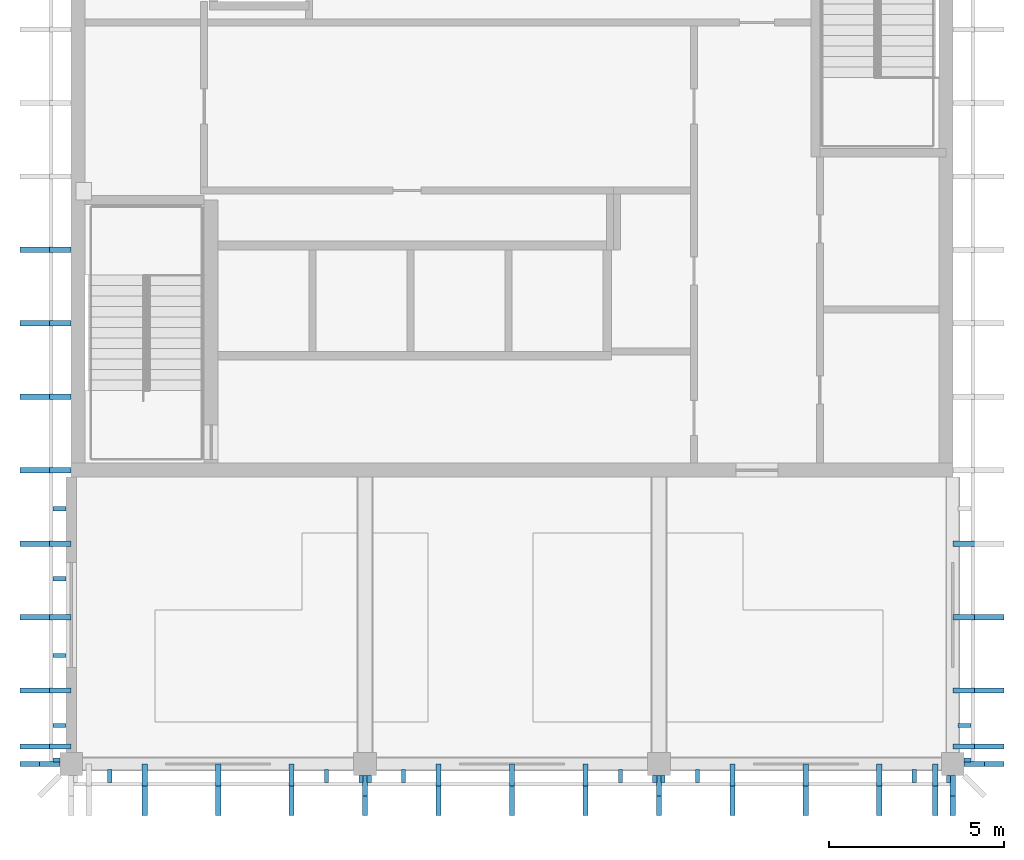
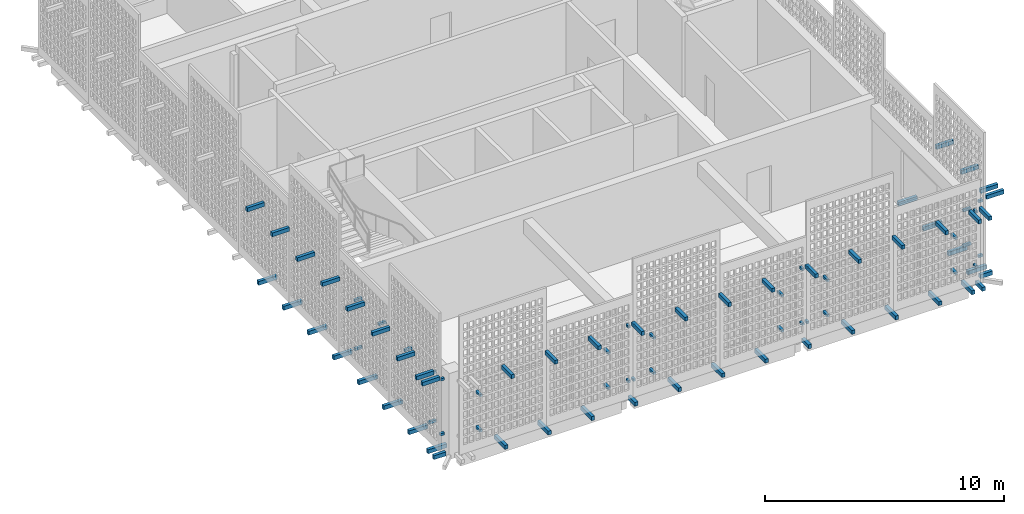
# One storey, part 4 of 23: 87 discrete accessories.
"""IFC4 building model written with IfcOpenShell, lengths in metres."""

from ifc_helpers import new_model, si_unit, direction, frame, origin, origin_2d, place, context, subcontext, project, spatial, rectangle, extrude, material, type_object, element, save


model = new_model("IFC4")

# Units and contexts
model_context = context("Model", 3, precision=1e-05, world=origin(), true_north=direction((0.0, 1.0)))
body_context = subcontext(model_context, "Body", "Model", "MODEL_VIEW")
ifc_project = project(units=[si_unit("LENGTHUNIT", "METRE"), si_unit("AREAUNIT", "SQUARE_METRE"), si_unit("VOLUMEUNIT", "CUBIC_METRE"), si_unit("PLANEANGLEUNIT", "RADIAN"), si_unit("MASSUNIT", "GRAM", prefix="KILO")], contexts=[model_context])

# Site, building, storey
site_placement = place(None, origin())
site = spatial("IfcSite", under=ifc_project, at=site_placement, CompositionType="ELEMENT")
building_placement = place(site_placement, origin())
building = spatial("IfcBuilding", under=site, at=building_placement, Name="Rulbaag Community and Learning Centre", CompositionType="ELEMENT")
storey_placement = place(building_placement, frame((0.0, 0.0, 64.800048828125)))
storey = spatial("IfcBuildingStorey", under=building, at=storey_placement, Name="L17", CompositionType="ELEMENT", Elevation=64.800048828125)

# Discrete accessories
ifc_material = material(Name="Steel E350", Category="steel")
discrete_accessory_type_1 = type_object("IfcDiscreteAccessoryType", Name="BR-FN", PredefinedType="BRACKET", material=ifc_material)
discrete_accessory_1_placement = place(storey_placement, frame((144.89990234375, 83.5439453125, -0.25), z_axis=(0.0, 0.0, 1.0), x_axis=(1.0, 0.0, 0.0)))
element("IfcDiscreteAccessory", 1, at=discrete_accessory_1_placement, inside=storey, type_object=discrete_accessory_type_1, Name="Fin arm", PredefinedType="BRACKET", context=body_context, shape_type="SweptSolid", body=[
    extrude(rectangle(XDim=0.14990234375, YDim=0.912109375, at=origin_2d()), origin(), (0.0, 0.0, 1.0), 0.199951171875),
])
discrete_accessory_2_placement = place(storey_placement, frame((144.89990234375, 82.955322265625, 3.7001953125), z_axis=(0.0, 0.0, 1.0), x_axis=(1.0, 0.0, 0.0)))
element("IfcDiscreteAccessory", 2, at=discrete_accessory_2_placement, inside=storey, type_object=discrete_accessory_type_1, Name="Fin arm", PredefinedType="BRACKET", context=body_context, shape_type="SweptSolid", body=[
    extrude(rectangle(XDim=0.14990234375, YDim=0.83935546875, at=origin_2d()), origin(), (0.0, 0.0, 1.0), 0.199951171875),
])
discrete_accessory_3_placement = place(storey_placement, frame((147.0, 83.5439453125, -0.25), z_axis=(0.0, 0.0, 1.0), x_axis=(1.0, 0.0, 0.0)))
element("IfcDiscreteAccessory", 3, at=discrete_accessory_3_placement, inside=storey, type_object=discrete_accessory_type_1, Name="Fin arm", PredefinedType="BRACKET", context=body_context, shape_type="SweptSolid", body=[
    extrude(rectangle(XDim=0.14990234375, YDim=0.912109375, at=origin_2d()), origin(), (0.0, 0.0, 1.0), 0.199951171875),
])
discrete_accessory_4_placement = place(storey_placement, frame((147.0, 82.955322265625, 3.7001953125), z_axis=(0.0, 0.0, 1.0), x_axis=(1.0, 0.0, 0.0)))
element("IfcDiscreteAccessory", 4, at=discrete_accessory_4_placement, inside=storey, type_object=discrete_accessory_type_1, Name="Fin arm", PredefinedType="BRACKET", context=body_context, shape_type="SweptSolid", body=[
    extrude(rectangle(XDim=0.14990234375, YDim=0.83935546875, at=origin_2d()), origin(), (0.0, 0.0, 1.0), 0.199951171875),
])
discrete_accessory_5_placement = place(storey_placement, frame((149.10009765625, 83.5439453125, -0.25), z_axis=(0.0, 0.0, 1.0), x_axis=(1.0, 0.0, 0.0)))
element("IfcDiscreteAccessory", 5, at=discrete_accessory_5_placement, inside=storey, type_object=discrete_accessory_type_1, Name="Fin arm", PredefinedType="BRACKET", context=body_context, shape_type="SweptSolid", body=[
    extrude(rectangle(XDim=0.14990234375, YDim=0.912109375, at=origin_2d()), origin(), (0.0, 0.0, 1.0), 0.199951171875),
])
discrete_accessory_6_placement = place(storey_placement, frame((149.10009765625, 82.955322265625, 3.7001953125), z_axis=(0.0, 0.0, 1.0), x_axis=(1.0, 0.0, 0.0)))
element("IfcDiscreteAccessory", 6, at=discrete_accessory_6_placement, inside=storey, type_object=discrete_accessory_type_1, Name="Fin arm", PredefinedType="BRACKET", context=body_context, shape_type="SweptSolid", body=[
    extrude(rectangle(XDim=0.14990234375, YDim=0.83935546875, at=origin_2d()), origin(), (0.0, 0.0, 1.0), 0.199951171875),
])
discrete_accessory_7_placement = place(storey_placement, frame((151.199951171875, 83.38134765625, -0.25), z_axis=(0.0, 0.0, 1.0), x_axis=(1.0, 0.0, 0.0)))
element("IfcDiscreteAccessory", 7, at=discrete_accessory_7_placement, inside=storey, type_object=discrete_accessory_type_1, Name="Fin arm", PredefinedType="BRACKET", context=body_context, shape_type="SweptSolid", body=[
    extrude(rectangle(XDim=0.14990234375, YDim=0.587158203125, at=origin_2d()), origin(), (0.0, 0.0, 1.0), 0.199951171875),
])
discrete_accessory_8_placement = place(storey_placement, frame((151.199951171875, 82.955322265625, 3.7001953125), z_axis=(0.0, 0.0, 1.0), x_axis=(1.0, 0.0, 0.0)))
element("IfcDiscreteAccessory", 8, at=discrete_accessory_8_placement, inside=storey, type_object=discrete_accessory_type_1, Name="Fin arm", PredefinedType="BRACKET", context=body_context, shape_type="SweptSolid", body=[
    extrude(rectangle(XDim=0.14990234375, YDim=0.83935546875, at=origin_2d()), origin(), (0.0, 0.0, 1.0), 0.199951171875),
])
discrete_accessory_9_placement = place(storey_placement, frame((153.300048828125, 83.5439453125, -0.25), z_axis=(0.0, 0.0, 1.0), x_axis=(1.0, 0.0, 0.0)))
element("IfcDiscreteAccessory", 9, at=discrete_accessory_9_placement, inside=storey, type_object=discrete_accessory_type_1, Name="Fin arm", PredefinedType="BRACKET", context=body_context, shape_type="SweptSolid", body=[
    extrude(rectangle(XDim=0.14990234375, YDim=0.912109375, at=origin_2d()), origin(), (0.0, 0.0, 1.0), 0.199951171875),
])
discrete_accessory_10_placement = place(storey_placement, frame((153.300048828125, 82.955322265625, 3.7001953125), z_axis=(0.0, 0.0, 1.0), x_axis=(1.0, 0.0, 0.0)))
element("IfcDiscreteAccessory", 10, at=discrete_accessory_10_placement, inside=storey, type_object=discrete_accessory_type_1, Name="Fin arm", PredefinedType="BRACKET", context=body_context, shape_type="SweptSolid", body=[
    extrude(rectangle(XDim=0.14990234375, YDim=0.83935546875, at=origin_2d()), origin(), (0.0, 0.0, 1.0), 0.199951171875),
])
discrete_accessory_11_placement = place(storey_placement, frame((155.39990234375, 83.5439453125, -0.25), z_axis=(0.0, 0.0, 1.0), x_axis=(1.0, 0.0, 0.0)))
element("IfcDiscreteAccessory", 11, at=discrete_accessory_11_placement, inside=storey, type_object=discrete_accessory_type_1, Name="Fin arm", PredefinedType="BRACKET", context=body_context, shape_type="SweptSolid", body=[
    extrude(rectangle(XDim=0.14990234375, YDim=0.912109375, at=origin_2d()), origin(), (0.0, 0.0, 1.0), 0.199951171875),
])
discrete_accessory_12_placement = place(storey_placement, frame((155.39990234375, 82.955322265625, 3.7001953125), z_axis=(0.0, 0.0, 1.0), x_axis=(1.0, 0.0, 0.0)))
element("IfcDiscreteAccessory", 12, at=discrete_accessory_12_placement, inside=storey, type_object=discrete_accessory_type_1, Name="Fin arm", PredefinedType="BRACKET", context=body_context, shape_type="SweptSolid", body=[
    extrude(rectangle(XDim=0.14990234375, YDim=0.83935546875, at=origin_2d()), origin(), (0.0, 0.0, 1.0), 0.199951171875),
])
discrete_accessory_13_placement = place(storey_placement, frame((157.5, 83.5439453125, -0.25), z_axis=(0.0, 0.0, 1.0), x_axis=(1.0, 0.0, 0.0)))
element("IfcDiscreteAccessory", 13, at=discrete_accessory_13_placement, inside=storey, type_object=discrete_accessory_type_1, Name="Fin arm", PredefinedType="BRACKET", context=body_context, shape_type="SweptSolid", body=[
    extrude(rectangle(XDim=0.14990234375, YDim=0.912109375, at=origin_2d()), origin(), (0.0, 0.0, 1.0), 0.199951171875),
])
discrete_accessory_14_placement = place(storey_placement, frame((157.5, 82.955322265625, 3.7001953125), z_axis=(0.0, 0.0, 1.0), x_axis=(1.0, 0.0, 0.0)))
element("IfcDiscreteAccessory", 14, at=discrete_accessory_14_placement, inside=storey, type_object=discrete_accessory_type_1, Name="Fin arm", PredefinedType="BRACKET", context=body_context, shape_type="SweptSolid", body=[
    extrude(rectangle(XDim=0.14990234375, YDim=0.83935546875, at=origin_2d()), origin(), (0.0, 0.0, 1.0), 0.199951171875),
])
discrete_accessory_15_placement = place(storey_placement, frame((159.60009765625, 83.38134765625, -0.25), z_axis=(0.0, 0.0, 1.0), x_axis=(1.0, 0.0, 0.0)))
element("IfcDiscreteAccessory", 15, at=discrete_accessory_15_placement, inside=storey, type_object=discrete_accessory_type_1, Name="Fin arm", PredefinedType="BRACKET", context=body_context, shape_type="SweptSolid", body=[
    extrude(rectangle(XDim=0.14990234375, YDim=0.587158203125, at=origin_2d()), origin(), (0.0, 0.0, 1.0), 0.199951171875),
])
discrete_accessory_16_placement = place(storey_placement, frame((159.60009765625, 82.955322265625, 3.7001953125), z_axis=(0.0, 0.0, 1.0), x_axis=(1.0, 0.0, 0.0)))
element("IfcDiscreteAccessory", 16, at=discrete_accessory_16_placement, inside=storey, type_object=discrete_accessory_type_1, Name="Fin arm", PredefinedType="BRACKET", context=body_context, shape_type="SweptSolid", body=[
    extrude(rectangle(XDim=0.14990234375, YDim=0.83935546875, at=origin_2d()), origin(), (0.0, 0.0, 1.0), 0.199951171875),
])
discrete_accessory_17_placement = place(storey_placement, frame((161.699951171875, 83.5439453125, -0.25), z_axis=(0.0, 0.0, 1.0), x_axis=(1.0, 0.0, 0.0)))
element("IfcDiscreteAccessory", 17, at=discrete_accessory_17_placement, inside=storey, type_object=discrete_accessory_type_1, Name="Fin arm", PredefinedType="BRACKET", context=body_context, shape_type="SweptSolid", body=[
    extrude(rectangle(XDim=0.14990234375, YDim=0.912109375, at=origin_2d()), origin(), (0.0, 0.0, 1.0), 0.199951171875),
])
discrete_accessory_18_placement = place(storey_placement, frame((161.699951171875, 82.955322265625, 3.7001953125), z_axis=(0.0, 0.0, 1.0), x_axis=(1.0, 0.0, 0.0)))
element("IfcDiscreteAccessory", 18, at=discrete_accessory_18_placement, inside=storey, type_object=discrete_accessory_type_1, Name="Fin arm", PredefinedType="BRACKET", context=body_context, shape_type="SweptSolid", body=[
    extrude(rectangle(XDim=0.14990234375, YDim=0.83935546875, at=origin_2d()), origin(), (0.0, 0.0, 1.0), 0.199951171875),
])
discrete_accessory_19_placement = place(storey_placement, frame((163.800048828125, 83.5439453125, -0.25), z_axis=(0.0, 0.0, 1.0), x_axis=(1.0, 0.0, 0.0)))
element("IfcDiscreteAccessory", 19, at=discrete_accessory_19_placement, inside=storey, type_object=discrete_accessory_type_1, Name="Fin arm", PredefinedType="BRACKET", context=body_context, shape_type="SweptSolid", body=[
    extrude(rectangle(XDim=0.14990234375, YDim=0.912109375, at=origin_2d()), origin(), (0.0, 0.0, 1.0), 0.199951171875),
])
discrete_accessory_20_placement = place(storey_placement, frame((163.800048828125, 82.955322265625, 3.7001953125), z_axis=(0.0, 0.0, 1.0), x_axis=(1.0, 0.0, 0.0)))
element("IfcDiscreteAccessory", 20, at=discrete_accessory_20_placement, inside=storey, type_object=discrete_accessory_type_1, Name="Fin arm", PredefinedType="BRACKET", context=body_context, shape_type="SweptSolid", body=[
    extrude(rectangle(XDim=0.14990234375, YDim=0.83935546875, at=origin_2d()), origin(), (0.0, 0.0, 1.0), 0.199951171875),
])
discrete_accessory_21_placement = place(storey_placement, frame((165.89990234375, 83.5439453125, -0.25), z_axis=(0.0, 0.0, 1.0), x_axis=(1.0, 0.0, 0.0)))
element("IfcDiscreteAccessory", 21, at=discrete_accessory_21_placement, inside=storey, type_object=discrete_accessory_type_1, Name="Fin arm", PredefinedType="BRACKET", context=body_context, shape_type="SweptSolid", body=[
    extrude(rectangle(XDim=0.14990234375, YDim=0.912109375, at=origin_2d()), origin(), (0.0, 0.0, 1.0), 0.199951171875),
])
discrete_accessory_22_placement = place(storey_placement, frame((165.89990234375, 82.955322265625, 3.7001953125), z_axis=(0.0, 0.0, 1.0), x_axis=(1.0, 0.0, 0.0)))
element("IfcDiscreteAccessory", 22, at=discrete_accessory_22_placement, inside=storey, type_object=discrete_accessory_type_1, Name="Fin arm", PredefinedType="BRACKET", context=body_context, shape_type="SweptSolid", body=[
    extrude(rectangle(XDim=0.14990234375, YDim=0.83935546875, at=origin_2d()), origin(), (0.0, 0.0, 1.0), 0.199951171875),
])
discrete_accessory_23_placement = place(storey_placement, frame((167.5, 83.5439453125, -0.25), z_axis=(0.0, 0.0, 1.0), x_axis=(1.0, 0.0, 0.0)))
element("IfcDiscreteAccessory", 23, at=discrete_accessory_23_placement, inside=storey, type_object=discrete_accessory_type_1, Name="Fin arm", PredefinedType="BRACKET", context=body_context, shape_type="SweptSolid", body=[
    extrude(rectangle(XDim=0.14990234375, YDim=0.912109375, at=origin_2d()), origin(), (0.0, 0.0, 1.0), 0.199951171875),
])
discrete_accessory_24_placement = place(storey_placement, frame((167.5, 82.955322265625, 3.7001953125), z_axis=(0.0, 0.0, 1.0), x_axis=(1.0, 0.0, 0.0)))
element("IfcDiscreteAccessory", 24, at=discrete_accessory_24_placement, inside=storey, type_object=discrete_accessory_type_1, Name="Fin arm", PredefinedType="BRACKET", context=body_context, shape_type="SweptSolid", body=[
    extrude(rectangle(XDim=0.14990234375, YDim=0.83935546875, at=origin_2d()), origin(), (0.0, 0.0, 1.0), 0.199951171875),
])
discrete_accessory_25_placement = place(storey_placement, frame((168.0, 83.38134765625, -0.25), z_axis=(0.0, 0.0, 1.0), x_axis=(1.0, 0.0, 0.0)))
element("IfcDiscreteAccessory", 25, at=discrete_accessory_25_placement, inside=storey, type_object=discrete_accessory_type_1, Name="Fin arm", PredefinedType="BRACKET", context=body_context, shape_type="SweptSolid", body=[
    extrude(rectangle(XDim=0.14990234375, YDim=0.587158203125, at=origin_2d()), origin(), (0.0, 0.0, 1.0), 0.199951171875),
])
discrete_accessory_26_placement = place(storey_placement, frame((168.0, 82.955322265625, 3.7001953125), z_axis=(0.0, 0.0, 1.0), x_axis=(1.0, 0.0, 0.0)))
element("IfcDiscreteAccessory", 26, at=discrete_accessory_26_placement, inside=storey, type_object=discrete_accessory_type_1, Name="Fin arm", PredefinedType="BRACKET", context=body_context, shape_type="SweptSolid", body=[
    extrude(rectangle(XDim=0.14990234375, YDim=0.83935546875, at=origin_2d()), origin(), (0.0, 0.0, 1.0), 0.199951171875),
])
discrete_accessory_27_placement = place(storey_placement, frame((142.181396484375, 84.0, -0.25), z_axis=(0.0, 0.0, 1.0), x_axis=(1.0, 0.0, 0.0)))
element("IfcDiscreteAccessory", 27, at=discrete_accessory_27_placement, inside=storey, type_object=discrete_accessory_type_1, Name="Fin arm", PredefinedType="BRACKET", context=body_context, shape_type="SweptSolid", body=[
    extrude(rectangle(XDim=0.587158203125, YDim=0.14990234375, at=origin_2d()), origin(), (0.0, 0.0, 1.0), 0.199951171875),
])
discrete_accessory_28_placement = place(storey_placement, frame((141.75537109375, 84.0, 3.7001953125), z_axis=(0.0, 0.0, 1.0), x_axis=(1.0, 0.0, 0.0)))
element("IfcDiscreteAccessory", 28, at=discrete_accessory_28_placement, inside=storey, type_object=discrete_accessory_type_1, Name="Fin arm", PredefinedType="BRACKET", context=body_context, shape_type="SweptSolid", body=[
    extrude(rectangle(XDim=0.83935546875, YDim=0.14990234375, at=origin_2d()), origin(), (0.0, 0.0, 1.0), 0.199951171875),
])
discrete_accessory_29_placement = place(storey_placement, frame((142.343994140625, 84.5, -0.25), z_axis=(0.0, 0.0, 1.0), x_axis=(1.0, 0.0, 0.0)))
element("IfcDiscreteAccessory", 29, at=discrete_accessory_29_placement, inside=storey, type_object=discrete_accessory_type_1, Name="Fin arm", PredefinedType="BRACKET", context=body_context, shape_type="SweptSolid", body=[
    extrude(rectangle(XDim=0.912109375, YDim=0.14990234375, at=origin_2d()), origin(), (0.0, 0.0, 1.0), 0.199951171875),
])
discrete_accessory_30_placement = place(storey_placement, frame((141.75537109375, 84.5, 3.7001953125), z_axis=(0.0, 0.0, 1.0), x_axis=(1.0, 0.0, 0.0)))
element("IfcDiscreteAccessory", 30, at=discrete_accessory_30_placement, inside=storey, type_object=discrete_accessory_type_1, Name="Fin arm", PredefinedType="BRACKET", context=body_context, shape_type="SweptSolid", body=[
    extrude(rectangle(XDim=0.83935546875, YDim=0.14990234375, at=origin_2d()), origin(), (0.0, 0.0, 1.0), 0.199951171875),
])
discrete_accessory_31_placement = place(storey_placement, frame((142.343994140625, 86.10009765625, -0.25), z_axis=(0.0, 0.0, 1.0), x_axis=(1.0, 0.0, 0.0)))
element("IfcDiscreteAccessory", 31, at=discrete_accessory_31_placement, inside=storey, type_object=discrete_accessory_type_1, Name="Fin arm", PredefinedType="BRACKET", context=body_context, shape_type="SweptSolid", body=[
    extrude(rectangle(XDim=0.912109375, YDim=0.14990234375, at=origin_2d()), origin(), (0.0, 0.0, 1.0), 0.199951171875),
])
discrete_accessory_32_placement = place(storey_placement, frame((141.75537109375, 86.10009765625, 3.7001953125), z_axis=(0.0, 0.0, 1.0), x_axis=(1.0, 0.0, 0.0)))
element("IfcDiscreteAccessory", 32, at=discrete_accessory_32_placement, inside=storey, type_object=discrete_accessory_type_1, Name="Fin arm", PredefinedType="BRACKET", context=body_context, shape_type="SweptSolid", body=[
    extrude(rectangle(XDim=0.83935546875, YDim=0.14990234375, at=origin_2d()), origin(), (0.0, 0.0, 1.0), 0.199951171875),
])
discrete_accessory_33_placement = place(storey_placement, frame((142.343994140625, 88.199951171875, -0.25), z_axis=(0.0, 0.0, 1.0), x_axis=(1.0, 0.0, 0.0)))
element("IfcDiscreteAccessory", 33, at=discrete_accessory_33_placement, inside=storey, type_object=discrete_accessory_type_1, Name="Fin arm", PredefinedType="BRACKET", context=body_context, shape_type="SweptSolid", body=[
    extrude(rectangle(XDim=0.912109375, YDim=0.14990234375, at=origin_2d()), origin(), (0.0, 0.0, 1.0), 0.199951171875),
])
discrete_accessory_34_placement = place(storey_placement, frame((141.75537109375, 88.199951171875, 3.7001953125), z_axis=(0.0, 0.0, 1.0), x_axis=(1.0, 0.0, 0.0)))
element("IfcDiscreteAccessory", 34, at=discrete_accessory_34_placement, inside=storey, type_object=discrete_accessory_type_1, Name="Fin arm", PredefinedType="BRACKET", context=body_context, shape_type="SweptSolid", body=[
    extrude(rectangle(XDim=0.83935546875, YDim=0.14990234375, at=origin_2d()), origin(), (0.0, 0.0, 1.0), 0.199951171875),
])
discrete_accessory_35_placement = place(storey_placement, frame((142.343994140625, 90.300048828125, -0.25), z_axis=(0.0, 0.0, 1.0), x_axis=(1.0, 0.0, 0.0)))
element("IfcDiscreteAccessory", 35, at=discrete_accessory_35_placement, inside=storey, type_object=discrete_accessory_type_1, Name="Fin arm", PredefinedType="BRACKET", context=body_context, shape_type="SweptSolid", body=[
    extrude(rectangle(XDim=0.912109375, YDim=0.14990234375, at=origin_2d()), origin(), (0.0, 0.0, 1.0), 0.199951171875),
])
discrete_accessory_36_placement = place(storey_placement, frame((141.75537109375, 90.300048828125, 3.7001953125), z_axis=(0.0, 0.0, 1.0), x_axis=(1.0, 0.0, 0.0)))
element("IfcDiscreteAccessory", 36, at=discrete_accessory_36_placement, inside=storey, type_object=discrete_accessory_type_1, Name="Fin arm", PredefinedType="BRACKET", context=body_context, shape_type="SweptSolid", body=[
    extrude(rectangle(XDim=0.83935546875, YDim=0.14990234375, at=origin_2d()), origin(), (0.0, 0.0, 1.0), 0.199951171875),
])
discrete_accessory_37_placement = place(storey_placement, frame((142.343994140625, 92.39990234375, -0.25), z_axis=(0.0, 0.0, 1.0), x_axis=(1.0, 0.0, 0.0)))
element("IfcDiscreteAccessory", 37, at=discrete_accessory_37_placement, inside=storey, type_object=discrete_accessory_type_1, Name="Fin arm", PredefinedType="BRACKET", context=body_context, shape_type="SweptSolid", body=[
    extrude(rectangle(XDim=0.912109375, YDim=0.14990234375, at=origin_2d()), origin(), (0.0, 0.0, 1.0), 0.199951171875),
])
discrete_accessory_38_placement = place(storey_placement, frame((141.75537109375, 92.39990234375, 3.7001953125), z_axis=(0.0, 0.0, 1.0), x_axis=(1.0, 0.0, 0.0)))
element("IfcDiscreteAccessory", 38, at=discrete_accessory_38_placement, inside=storey, type_object=discrete_accessory_type_1, Name="Fin arm", PredefinedType="BRACKET", context=body_context, shape_type="SweptSolid", body=[
    extrude(rectangle(XDim=0.83935546875, YDim=0.14990234375, at=origin_2d()), origin(), (0.0, 0.0, 1.0), 0.199951171875),
])
discrete_accessory_39_placement = place(storey_placement, frame((142.343994140625, 94.5, -0.25), z_axis=(0.0, 0.0, 1.0), x_axis=(1.0, 0.0, 0.0)))
element("IfcDiscreteAccessory", 39, at=discrete_accessory_39_placement, inside=storey, type_object=discrete_accessory_type_1, Name="Fin arm", PredefinedType="BRACKET", context=body_context, shape_type="SweptSolid", body=[
    extrude(rectangle(XDim=0.912109375, YDim=0.14990234375, at=origin_2d()), origin(), (0.0, 0.0, 1.0), 0.199951171875),
])
discrete_accessory_40_placement = place(storey_placement, frame((141.75537109375, 94.5, 3.7001953125), z_axis=(0.0, 0.0, 1.0), x_axis=(1.0, 0.0, 0.0)))
element("IfcDiscreteAccessory", 40, at=discrete_accessory_40_placement, inside=storey, type_object=discrete_accessory_type_1, Name="Fin arm", PredefinedType="BRACKET", context=body_context, shape_type="SweptSolid", body=[
    extrude(rectangle(XDim=0.83935546875, YDim=0.14990234375, at=origin_2d()), origin(), (0.0, 0.0, 1.0), 0.199951171875),
])
discrete_accessory_41_placement = place(storey_placement, frame((142.343994140625, 96.60009765625, -0.25), z_axis=(0.0, 0.0, 1.0), x_axis=(1.0, 0.0, 0.0)))
element("IfcDiscreteAccessory", 41, at=discrete_accessory_41_placement, inside=storey, type_object=discrete_accessory_type_1, Name="Fin arm", PredefinedType="BRACKET", context=body_context, shape_type="SweptSolid", body=[
    extrude(rectangle(XDim=0.912109375, YDim=0.14990234375, at=origin_2d()), origin(), (0.0, 0.0, 1.0), 0.199951171875),
])
discrete_accessory_42_placement = place(storey_placement, frame((141.75537109375, 96.60009765625, 3.7001953125), z_axis=(0.0, 0.0, 1.0), x_axis=(1.0, 0.0, 0.0)))
element("IfcDiscreteAccessory", 42, at=discrete_accessory_42_placement, inside=storey, type_object=discrete_accessory_type_1, Name="Fin arm", PredefinedType="BRACKET", context=body_context, shape_type="SweptSolid", body=[
    extrude(rectangle(XDim=0.83935546875, YDim=0.14990234375, at=origin_2d()), origin(), (0.0, 0.0, 1.0), 0.199951171875),
])
discrete_accessory_43_placement = place(storey_placement, frame((142.343994140625, 98.699951171875, -0.25), z_axis=(0.0, 0.0, 1.0), x_axis=(1.0, 0.0, 0.0)))
element("IfcDiscreteAccessory", 43, at=discrete_accessory_43_placement, inside=storey, type_object=discrete_accessory_type_1, Name="Fin arm", PredefinedType="BRACKET", context=body_context, shape_type="SweptSolid", body=[
    extrude(rectangle(XDim=0.912109375, YDim=0.14990234375, at=origin_2d()), origin(), (0.0, 0.0, 1.0), 0.199951171875),
])
discrete_accessory_44_placement = place(storey_placement, frame((141.75537109375, 98.699951171875, 3.7001953125), z_axis=(0.0, 0.0, 1.0), x_axis=(1.0, 0.0, 0.0)))
element("IfcDiscreteAccessory", 44, at=discrete_accessory_44_placement, inside=storey, type_object=discrete_accessory_type_1, Name="Fin arm", PredefinedType="BRACKET", context=body_context, shape_type="SweptSolid", body=[
    extrude(rectangle(XDim=0.83935546875, YDim=0.14990234375, at=origin_2d()), origin(), (0.0, 0.0, 1.0), 0.199951171875),
])
discrete_accessory_45_placement = place(storey_placement, frame((168.61865234375, 84.0, -0.25), z_axis=(0.0, 0.0, 1.0), x_axis=(1.0, 0.0, 0.0)))
element("IfcDiscreteAccessory", 45, at=discrete_accessory_45_placement, inside=storey, type_object=discrete_accessory_type_1, Name="Fin arm", PredefinedType="BRACKET", context=body_context, shape_type="SweptSolid", body=[
    extrude(rectangle(XDim=0.587158203125, YDim=0.14990234375, at=origin_2d()), origin(), (0.0, 0.0, 1.0), 0.199951171875),
])
discrete_accessory_46_placement = place(storey_placement, frame((169.044677734375, 84.0, 3.7001953125), z_axis=(0.0, 0.0, 1.0), x_axis=(1.0, 0.0, 0.0)))
element("IfcDiscreteAccessory", 46, at=discrete_accessory_46_placement, inside=storey, type_object=discrete_accessory_type_1, Name="Fin arm", PredefinedType="BRACKET", context=body_context, shape_type="SweptSolid", body=[
    extrude(rectangle(XDim=0.83935546875, YDim=0.14990234375, at=origin_2d()), origin(), (0.0, 0.0, 1.0), 0.199951171875),
])
discrete_accessory_47_placement = place(storey_placement, frame((168.4560546875, 84.5, -0.25), z_axis=(0.0, 0.0, 1.0), x_axis=(1.0, 0.0, 0.0)))
element("IfcDiscreteAccessory", 47, at=discrete_accessory_47_placement, inside=storey, type_object=discrete_accessory_type_1, Name="Fin arm", PredefinedType="BRACKET", context=body_context, shape_type="SweptSolid", body=[
    extrude(rectangle(XDim=0.912109375, YDim=0.14990234375, at=origin_2d()), origin(), (0.0, 0.0, 1.0), 0.199951171875),
])
discrete_accessory_48_placement = place(storey_placement, frame((169.044677734375, 84.5, 3.7001953125), z_axis=(0.0, 0.0, 1.0), x_axis=(1.0, 0.0, 0.0)))
element("IfcDiscreteAccessory", 48, at=discrete_accessory_48_placement, inside=storey, type_object=discrete_accessory_type_1, Name="Fin arm", PredefinedType="BRACKET", context=body_context, shape_type="SweptSolid", body=[
    extrude(rectangle(XDim=0.83935546875, YDim=0.14990234375, at=origin_2d()), origin(), (0.0, 0.0, 1.0), 0.199951171875),
])
discrete_accessory_49_placement = place(storey_placement, frame((168.4560546875, 86.10009765625, -0.25), z_axis=(0.0, 0.0, 1.0), x_axis=(1.0, 0.0, 0.0)))
element("IfcDiscreteAccessory", 49, at=discrete_accessory_49_placement, inside=storey, type_object=discrete_accessory_type_1, Name="Fin arm", PredefinedType="BRACKET", context=body_context, shape_type="SweptSolid", body=[
    extrude(rectangle(XDim=0.912109375, YDim=0.14990234375, at=origin_2d()), origin(), (0.0, 0.0, 1.0), 0.199951171875),
])
discrete_accessory_50_placement = place(storey_placement, frame((169.044677734375, 86.10009765625, 3.7001953125), z_axis=(0.0, 0.0, 1.0), x_axis=(1.0, 0.0, 0.0)))
element("IfcDiscreteAccessory", 50, at=discrete_accessory_50_placement, inside=storey, type_object=discrete_accessory_type_1, Name="Fin arm", PredefinedType="BRACKET", context=body_context, shape_type="SweptSolid", body=[
    extrude(rectangle(XDim=0.83935546875, YDim=0.14990234375, at=origin_2d()), origin(), (0.0, 0.0, 1.0), 0.199951171875),
])
discrete_accessory_51_placement = place(storey_placement, frame((168.4560546875, 88.199951171875, -0.25), z_axis=(0.0, 0.0, 1.0), x_axis=(1.0, 0.0, 0.0)))
element("IfcDiscreteAccessory", 51, at=discrete_accessory_51_placement, inside=storey, type_object=discrete_accessory_type_1, Name="Fin arm", PredefinedType="BRACKET", context=body_context, shape_type="SweptSolid", body=[
    extrude(rectangle(XDim=0.912109375, YDim=0.14990234375, at=origin_2d()), origin(), (0.0, 0.0, 1.0), 0.199951171875),
])
discrete_accessory_52_placement = place(storey_placement, frame((169.044677734375, 88.199951171875, 3.7001953125), z_axis=(0.0, 0.0, 1.0), x_axis=(1.0, 0.0, 0.0)))
element("IfcDiscreteAccessory", 52, at=discrete_accessory_52_placement, inside=storey, type_object=discrete_accessory_type_1, Name="Fin arm", PredefinedType="BRACKET", context=body_context, shape_type="SweptSolid", body=[
    extrude(rectangle(XDim=0.83935546875, YDim=0.14990234375, at=origin_2d()), origin(), (0.0, 0.0, 1.0), 0.199951171875),
])
discrete_accessory_53_placement = place(storey_placement, frame((168.4560546875, 90.300048828125, -0.25), z_axis=(0.0, 0.0, 1.0), x_axis=(1.0, 0.0, 0.0)))
element("IfcDiscreteAccessory", 53, at=discrete_accessory_53_placement, inside=storey, type_object=discrete_accessory_type_1, Name="Fin arm", PredefinedType="BRACKET", context=body_context, shape_type="SweptSolid", body=[
    extrude(rectangle(XDim=0.912109375, YDim=0.14990234375, at=origin_2d()), origin(), (0.0, 0.0, 1.0), 0.199951171875),
])
discrete_accessory_type_2 = type_object("IfcDiscreteAccessoryType", Name="BR-JS", PredefinedType="BRACKET", material=ifc_material)
for number, where, z_axis, x_axis, name in (
    (54, (143.89990234375, 83.66259765625, 0.739990234375), (0.0, 0.0, 1.0), (1.0, 0.0, 0.0), "Screen bracket"),
    (55, (143.89990234375, 83.66259765625, 2.539794921875), (0.0, 0.0, 1.0), (1.0, 0.0, 0.0), "Screen bracket"),
):
    element("IfcDiscreteAccessory", number, at=place(storey_placement, frame(where, z_axis=z_axis, x_axis=x_axis)), inside=storey, type_object=discrete_accessory_type_2, Name=name, PredefinedType="BRACKET", context=body_context, shape_type="SweptSolid", body=[
        extrude(rectangle(XDim=0.1201171875, YDim=0.375, at=origin_2d()), origin(), (0.0, 0.0, 1.0), 0.1201171875),
    ])
for number, where, z_axis, x_axis, name in (
    (56, (151.080078125, 83.574951171875, 0.739990234375), (0.0, 0.0, 1.0), (1.0, 0.0, 0.0), "Screen bracket"),
    (57, (151.080078125, 83.574951171875, 3.539794921875), (0.0, 0.0, 1.0), (1.0, 0.0, 0.0), "Screen bracket"),
):
    element("IfcDiscreteAccessory", number, at=place(storey_placement, frame(where, z_axis=z_axis, x_axis=x_axis)), inside=storey, type_object=discrete_accessory_type_2, Name=name, PredefinedType="BRACKET", context=body_context, shape_type="SweptSolid", body=[
        extrude(rectangle(XDim=0.1201171875, YDim=0.199951171875, at=origin_2d()), origin(), (0.0, 0.0, 1.0), 0.1201171875),
    ])
for number, where, z_axis, x_axis, name in (
    (58, (150.10009765625, 83.66259765625, 0.739990234375), (0.0, 0.0, 1.0), (1.0, 0.0, 0.0), "Screen bracket"),
    (59, (150.10009765625, 83.66259765625, 2.539794921875), (0.0, 0.0, 1.0), (1.0, 0.0, 0.0), "Screen bracket"),
):
    element("IfcDiscreteAccessory", number, at=place(storey_placement, frame(where, z_axis=z_axis, x_axis=x_axis)), inside=storey, type_object=discrete_accessory_type_2, Name=name, PredefinedType="BRACKET", context=body_context, shape_type="SweptSolid", body=[
        extrude(rectangle(XDim=0.1201171875, YDim=0.375, at=origin_2d()), origin(), (0.0, 0.0, 1.0), 0.1201171875),
    ])
for number, where, z_axis, x_axis, name in (
    (60, (151.320068359375, 83.574951171875, 0.739990234375), (0.0, 0.0, 1.0), (1.0, 0.0, 0.0), "Screen bracket"),
    (61, (151.320068359375, 83.574951171875, 3.539794921875), (0.0, 0.0, 1.0), (1.0, 0.0, 0.0), "Screen bracket"),
):
    element("IfcDiscreteAccessory", number, at=place(storey_placement, frame(where, z_axis=z_axis, x_axis=x_axis)), inside=storey, type_object=discrete_accessory_type_2, Name=name, PredefinedType="BRACKET", context=body_context, shape_type="SweptSolid", body=[
        extrude(rectangle(XDim=0.1201171875, YDim=0.199951171875, at=origin_2d()), origin(), (0.0, 0.0, 1.0), 0.1201171875),
    ])
for number, where, z_axis, x_axis, name in (
    (62, (152.300048828125, 83.66259765625, 0.739990234375), (0.0, 0.0, 1.0), (1.0, 0.0, 0.0), "Screen bracket"),
    (63, (152.300048828125, 83.66259765625, 2.539794921875), (0.0, 0.0, 1.0), (1.0, 0.0, 0.0), "Screen bracket"),
):
    element("IfcDiscreteAccessory", number, at=place(storey_placement, frame(where, z_axis=z_axis, x_axis=x_axis)), inside=storey, type_object=discrete_accessory_type_2, Name=name, PredefinedType="BRACKET", context=body_context, shape_type="SweptSolid", body=[
        extrude(rectangle(XDim=0.1201171875, YDim=0.375, at=origin_2d()), origin(), (0.0, 0.0, 1.0), 0.1201171875),
    ])
for number, where, z_axis, x_axis, name in (
    (64, (159.47998046875, 83.574951171875, 0.739990234375), (0.0, 0.0, 1.0), (1.0, 0.0, 0.0), "Screen bracket"),
    (65, (159.47998046875, 83.574951171875, 3.539794921875), (0.0, 0.0, 1.0), (1.0, 0.0, 0.0), "Screen bracket"),
):
    element("IfcDiscreteAccessory", number, at=place(storey_placement, frame(where, z_axis=z_axis, x_axis=x_axis)), inside=storey, type_object=discrete_accessory_type_2, Name=name, PredefinedType="BRACKET", context=body_context, shape_type="SweptSolid", body=[
        extrude(rectangle(XDim=0.1201171875, YDim=0.199951171875, at=origin_2d()), origin(), (0.0, 0.0, 1.0), 0.1201171875),
    ])
for number, where, z_axis, x_axis, name in (
    (66, (158.5, 83.66259765625, 0.739990234375), (0.0, 0.0, 1.0), (1.0, 0.0, 0.0), "Screen bracket"),
    (67, (158.5, 83.66259765625, 2.539794921875), (0.0, 0.0, 1.0), (1.0, 0.0, 0.0), "Screen bracket"),
):
    element("IfcDiscreteAccessory", number, at=place(storey_placement, frame(where, z_axis=z_axis, x_axis=x_axis)), inside=storey, type_object=discrete_accessory_type_2, Name=name, PredefinedType="BRACKET", context=body_context, shape_type="SweptSolid", body=[
        extrude(rectangle(XDim=0.1201171875, YDim=0.375, at=origin_2d()), origin(), (0.0, 0.0, 1.0), 0.1201171875),
    ])
for number, where, z_axis, x_axis, name in (
    (68, (159.719970703125, 83.574951171875, 0.739990234375), (0.0, 0.0, 1.0), (1.0, 0.0, 0.0), "Screen bracket"),
    (69, (159.719970703125, 83.574951171875, 3.539794921875), (0.0, 0.0, 1.0), (1.0, 0.0, 0.0), "Screen bracket"),
):
    element("IfcDiscreteAccessory", number, at=place(storey_placement, frame(where, z_axis=z_axis, x_axis=x_axis)), inside=storey, type_object=discrete_accessory_type_2, Name=name, PredefinedType="BRACKET", context=body_context, shape_type="SweptSolid", body=[
        extrude(rectangle(XDim=0.1201171875, YDim=0.199951171875, at=origin_2d()), origin(), (0.0, 0.0, 1.0), 0.1201171875),
    ])
for number, where, z_axis, x_axis, name in (
    (70, (160.699951171875, 83.66259765625, 0.739990234375), (0.0, 0.0, 1.0), (1.0, 0.0, 0.0), "Screen bracket"),
    (71, (160.699951171875, 83.66259765625, 2.539794921875), (0.0, 0.0, 1.0), (1.0, 0.0, 0.0), "Screen bracket"),
):
    element("IfcDiscreteAccessory", number, at=place(storey_placement, frame(where, z_axis=z_axis, x_axis=x_axis)), inside=storey, type_object=discrete_accessory_type_2, Name=name, PredefinedType="BRACKET", context=body_context, shape_type="SweptSolid", body=[
        extrude(rectangle(XDim=0.1201171875, YDim=0.375, at=origin_2d()), origin(), (0.0, 0.0, 1.0), 0.1201171875),
    ])
for number, where, z_axis, x_axis, name in (
    (72, (167.8798828125, 83.574951171875, 0.739990234375), (0.0, 0.0, 1.0), (1.0, 0.0, 0.0), "Screen bracket"),
    (73, (167.8798828125, 83.574951171875, 3.539794921875), (0.0, 0.0, 1.0), (1.0, 0.0, 0.0), "Screen bracket"),
):
    element("IfcDiscreteAccessory", number, at=place(storey_placement, frame(where, z_axis=z_axis, x_axis=x_axis)), inside=storey, type_object=discrete_accessory_type_2, Name=name, PredefinedType="BRACKET", context=body_context, shape_type="SweptSolid", body=[
        extrude(rectangle(XDim=0.1201171875, YDim=0.199951171875, at=origin_2d()), origin(), (0.0, 0.0, 1.0), 0.1201171875),
    ])
for number, where, z_axis, x_axis, name in (
    (74, (166.89990234375, 83.66259765625, 0.739990234375), (0.0, 0.0, 1.0), (1.0, 0.0, 0.0), "Screen bracket"),
    (75, (166.89990234375, 83.66259765625, 2.539794921875), (0.0, 0.0, 1.0), (1.0, 0.0, 0.0), "Screen bracket"),
):
    element("IfcDiscreteAccessory", number, at=place(storey_placement, frame(where, z_axis=z_axis, x_axis=x_axis)), inside=storey, type_object=discrete_accessory_type_2, Name=name, PredefinedType="BRACKET", context=body_context, shape_type="SweptSolid", body=[
        extrude(rectangle(XDim=0.1201171875, YDim=0.375, at=origin_2d()), origin(), (0.0, 0.0, 1.0), 0.1201171875),
    ])
for number, where, z_axis, x_axis, name in (
    (76, (142.375, 84.1201171875, 0.739990234375), (0.0, 0.0, 1.0), (1.0, 0.0, 0.0), "Screen bracket"),
    (77, (142.375, 84.1201171875, 3.539794921875), (0.0, 0.0, 1.0), (1.0, 0.0, 0.0), "Screen bracket"),
):
    element("IfcDiscreteAccessory", number, at=place(storey_placement, frame(where, z_axis=z_axis, x_axis=x_axis)), inside=storey, type_object=discrete_accessory_type_2, Name=name, PredefinedType="BRACKET", context=body_context, shape_type="SweptSolid", body=[
        extrude(rectangle(XDim=0.199951171875, YDim=0.1201171875, at=origin_2d()), origin(), (0.0, 0.0, 1.0), 0.1201171875),
    ])
for number, where, z_axis, x_axis, name in (
    (78, (142.46240234375, 85.10009765625, 0.739990234375), (0.0, 0.0, 1.0), (1.0, 0.0, 0.0), "Screen bracket"),
    (79, (142.46240234375, 85.10009765625, 3.239990234375), (0.0, 0.0, 1.0), (1.0, 0.0, 0.0), "Screen bracket"),
    (80, (142.46240234375, 87.10009765625, 3.239990234375), (0.0, 0.0, 1.0), (1.0, 0.0, 0.0), "Screen bracket"),
    (81, (142.46240234375, 89.300048828125, 3.239990234375), (0.0, 0.0, 1.0), (1.0, 0.0, 0.0), "Screen bracket"),
    (82, (142.46240234375, 91.300048828125, 0.739990234375), (0.0, 0.0, 1.0), (1.0, 0.0, 0.0), "Screen bracket"),
    (83, (142.46240234375, 91.300048828125, 3.239990234375), (0.0, 0.0, 1.0), (1.0, 0.0, 0.0), "Screen bracket"),
):
    element("IfcDiscreteAccessory", number, at=place(storey_placement, frame(where, z_axis=z_axis, x_axis=x_axis)), inside=storey, type_object=discrete_accessory_type_2, Name=name, PredefinedType="BRACKET", context=body_context, shape_type="SweptSolid", body=[
        extrude(rectangle(XDim=0.375, YDim=0.1201171875, at=origin_2d()), origin(), (0.0, 0.0, 1.0), 0.1201171875),
    ])
for number, where, z_axis, x_axis, name in (
    (84, (168.425048828125, 84.1201171875, 0.739990234375), (0.0, 0.0, 1.0), (1.0, 0.0, 0.0), "Screen bracket"),
    (85, (168.425048828125, 84.1201171875, 3.539794921875), (0.0, 0.0, 1.0), (1.0, 0.0, 0.0), "Screen bracket"),
):
    element("IfcDiscreteAccessory", number, at=place(storey_placement, frame(where, z_axis=z_axis, x_axis=x_axis)), inside=storey, type_object=discrete_accessory_type_2, Name=name, PredefinedType="BRACKET", context=body_context, shape_type="SweptSolid", body=[
        extrude(rectangle(XDim=0.199951171875, YDim=0.1201171875, at=origin_2d()), origin(), (0.0, 0.0, 1.0), 0.1201171875),
    ])
for number, where, z_axis, x_axis, name in (
    (86, (168.33740234375, 85.10009765625, 0.739990234375), (0.0, 0.0, 1.0), (1.0, 0.0, 0.0), "Screen bracket"),
    (87, (168.33740234375, 85.10009765625, 2.539794921875), (0.0, 0.0, 1.0), (1.0, 0.0, 0.0), "Screen bracket"),
):
    element("IfcDiscreteAccessory", number, at=place(storey_placement, frame(where, z_axis=z_axis, x_axis=x_axis)), inside=storey, type_object=discrete_accessory_type_2, Name=name, PredefinedType="BRACKET", context=body_context, shape_type="SweptSolid", body=[
        extrude(rectangle(XDim=0.375, YDim=0.1201171875, at=origin_2d()), origin(), (0.0, 0.0, 1.0), 0.1201171875),
    ])

save(model, "model.ifc")
